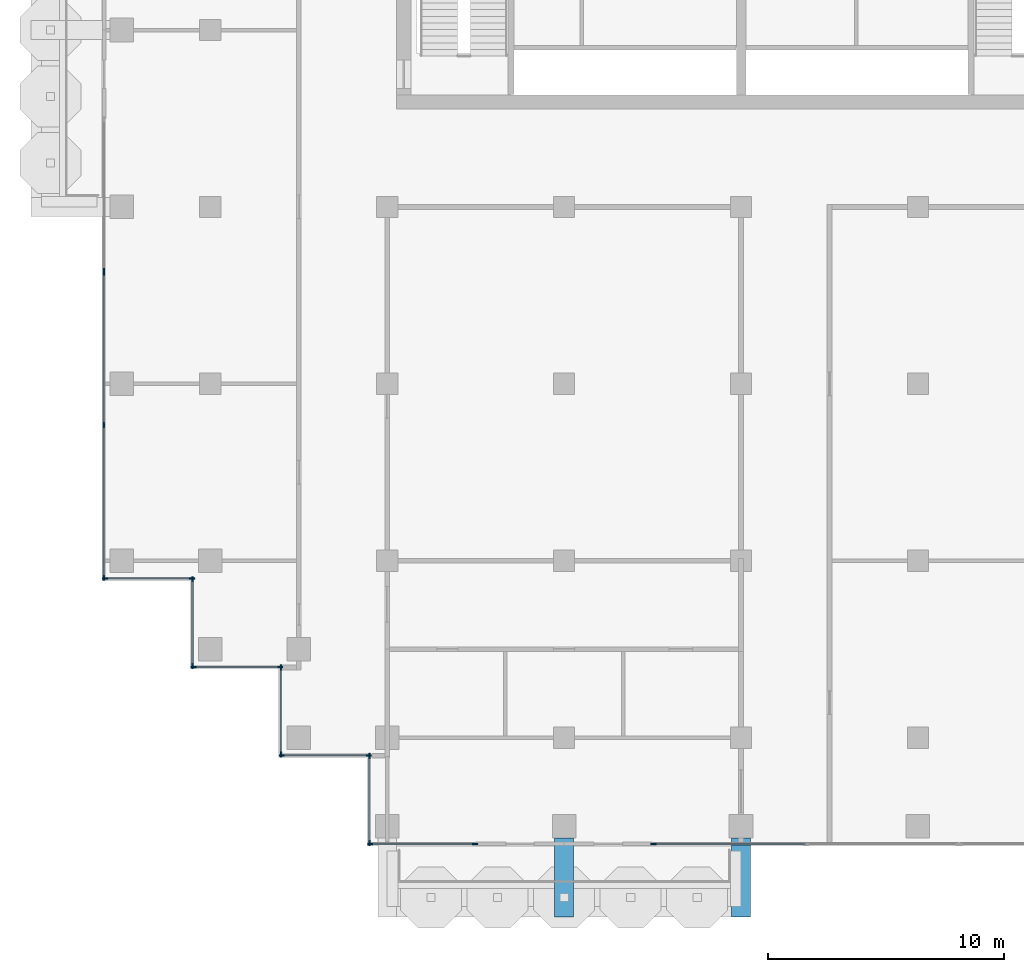
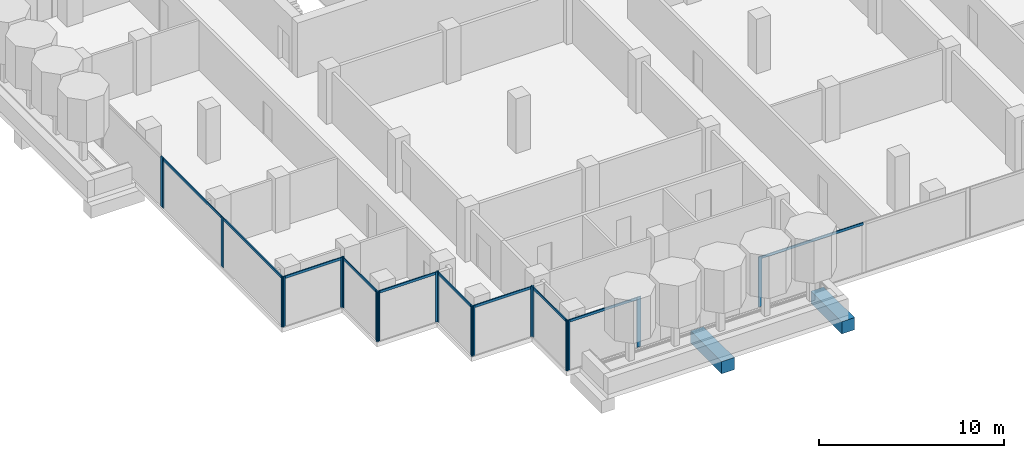
# One storey, part 2 of 17: 29 members, 2 beams, 10 elements without a shape of their own.
"""IFC4 building model written with IfcOpenShell, lengths in metres."""

from ifc_helpers import new_model, si_unit, direction, frame, origin, origin_2d, place, context, subcontext, project, spatial, rectangle, extrude, material, material_profile, profile_set, type_object, element, aggregate, save


model = new_model("IFC4")

# Units and contexts
model_context = context("Model", 3, precision=1e-05, world=origin(), true_north=direction((0.0, 1.0)))
body_context = subcontext(model_context, "Body", "Model", "MODEL_VIEW")
ifc_project = project(units=[si_unit("LENGTHUNIT", "METRE"), si_unit("AREAUNIT", "SQUARE_METRE"), si_unit("VOLUMEUNIT", "CUBIC_METRE"), si_unit("PLANEANGLEUNIT", "RADIAN"), si_unit("MASSUNIT", "GRAM", prefix="KILO")], contexts=[model_context])

# Site, building, storey
site_placement = place(None, origin())
site = spatial("IfcSite", under=ifc_project, at=site_placement, CompositionType="ELEMENT")
building_placement = place(site_placement, origin())
building = spatial("IfcBuilding", under=site, at=building_placement, Name="Pilkhan Gate Tower", CompositionType="ELEMENT")
storey_placement = place(building_placement, frame((0.0, 0.0, 206.699951171875)))
storey = spatial("IfcBuildingStorey", under=building, at=storey_placement, Name="L53", CompositionType="ELEMENT", Elevation=206.699951171875)

# Beams
ifc_material_1 = material(Name="Concrete C50/60", Category="concrete")
ifc_material_profile_1 = material_profile(ifc_material_1, rectangle(XDim=0.800048828125, YDim=0.800048828125, at=origin_2d()), Name="RC 800x800")
ifc_profile_set_1 = profile_set([ifc_material_profile_1], Name="Concrete C50/60")
beam_type = type_object("IfcBeamType", Name="Cantilever beam CB2 RC 800x800 C50/60", PredefinedType="BEAM", material=ifc_profile_set_1)
for number, where, z_axis, x_axis, name in (
    (1, (67.5, 40.75, -0.699951171875), (0.0, -1.0, 0.0), (1.0, 0.0, 0.0), "Balcony beam S.2 L53"),
    (2, (75.0, 40.75, -0.699951171875), (0.0, -1.0, 0.0), (1.0, 0.0, 0.0), "Balcony beam S.3 L53"),
):
    element("IfcBeam", number, at=place(storey_placement, frame(where, z_axis=z_axis, x_axis=x_axis)), inside=storey, type_object=beam_type, Name=name, PredefinedType="BEAM", context=body_context, shape_type="SweptSolid", body=[
        extrude(rectangle(XDim=0.800048828125, YDim=0.800048828125, at=origin_2d()), origin(), (0.0, 0.0, 1.0), 3.35009765625),
    ])

# Curtain wall, members
ifc_material_2 = material(Name="Pale anodised aluminium, clear low-iron double glazing", Category="aluminium")
curtain_wall_type = type_object("IfcCurtainWallType", Name="Office unitised curtain wall CW-O2", PredefinedType="USERDEFINED", material=ifc_material_2)
curtain_wall_1_placement = place(storey_placement, origin())
curtain_wall_1 = element("IfcCurtainWall", 3, at=curtain_wall_1_placement, inside=storey, type_object=curtain_wall_type, Name="Office unitised curtain wall CW-O2 L53 W", ObjectType="UNITISED CURTAIN WALL", PredefinedType="USERDEFINED")
ifc_material_3 = material(Name="Pale anodised aluminium", Category="aluminium")
ifc_material_profile_2 = material_profile(ifc_material_3, rectangle(XDim=0.06494140625, YDim=0.22509765625, at=origin_2d()), Name="Mullion 225x65")
ifc_profile_set_2 = profile_set([ifc_material_profile_2], Name="Pale anodised aluminium")
member_type_1 = type_object("IfcMemberType", Name="Mullion CW-O2 225x65", PredefinedType="MULLION", material=ifc_profile_set_2)
member_1_placement = place(storey_placement, frame((48.0, 51.782470703125, 0.0), z_axis=(0.0, 0.0, 1.0), x_axis=(-1.0, 0.0, 0.0)))
member_1 = element("IfcMember", 4, at=member_1_placement, type_object=member_type_1, Name="CW-O2 mullion 1", PredefinedType="MULLION", context=body_context, shape_type="SweptSolid", body=[
    extrude(rectangle(XDim=0.06494140625, YDim=0.22509765625, at=origin_2d()), origin(), (0.0, 0.0, 1.0), 3.300048828125),
])
member_2_placement = place(storey_placement, frame((48.0, 58.25, 0.0), z_axis=(0.0, 0.0, 1.0), x_axis=(-1.0, 0.0, 0.0)))
member_2 = element("IfcMember", 5, at=member_2_placement, type_object=member_type_1, Name="CW-O2 mullion 2", PredefinedType="MULLION", context=body_context, shape_type="SweptSolid", body=[
    extrude(rectangle(XDim=0.06494140625, YDim=0.22509765625, at=origin_2d()), origin(), (0.0, 0.0, 1.0), 3.300048828125),
])
member_3_placement = place(storey_placement, frame((48.0, 64.717529296875, 0.0), z_axis=(0.0, 0.0, 1.0), x_axis=(-1.0, 0.0, 0.0)))
member_3 = element("IfcMember", 6, at=member_3_placement, type_object=member_type_1, Name="CW-O2 mullion 3", PredefinedType="MULLION", context=body_context, shape_type="SweptSolid", body=[
    extrude(rectangle(XDim=0.06494140625, YDim=0.22509765625, at=origin_2d()), origin(), (0.0, 0.0, 1.0), 3.300048828125),
])

# Curtain wall, member
curtain_wall_2_placement = place(storey_placement, origin())
curtain_wall_2 = element("IfcCurtainWall", 7, at=curtain_wall_2_placement, inside=storey, type_object=curtain_wall_type, Name="Office unitised curtain wall CW-O2 L53 W", ObjectType="UNITISED CURTAIN WALL", PredefinedType="USERDEFINED")
member_4_placement = place(storey_placement, frame((48.0, 64.782470703125, 0.0), z_axis=(0.0, 0.0, 1.0), x_axis=(-1.0, 0.0, 0.0)))
member_4 = element("IfcMember", 8, at=member_4_placement, type_object=member_type_1, Name="CW-O2 mullion 1", PredefinedType="MULLION", context=body_context, shape_type="SweptSolid", body=[
    extrude(rectangle(XDim=0.06494140625, YDim=0.22509765625, at=origin_2d()), origin(), (0.0, 0.0, 1.0), 3.300048828125),
])
aggregate(curtain_wall_2, [member_4])

# Curtain wall, members
curtain_wall_3_placement = place(storey_placement, origin())
curtain_wall_3 = element("IfcCurtainWall", 9, at=curtain_wall_3_placement, inside=storey, type_object=curtain_wall_type, Name="Office unitised curtain wall CW-O2 L53 S", ObjectType="UNITISED CURTAIN WALL", PredefinedType="USERDEFINED")
member_5_placement = place(storey_placement, frame((48.032470703125, 51.75, 0.0), z_axis=(0.0, 0.0, 1.0), x_axis=(0.0, 1.0, 0.0)))
member_5 = element("IfcMember", 10, at=member_5_placement, type_object=member_type_1, Name="CW-O2 mullion 1", PredefinedType="MULLION", context=body_context, shape_type="SweptSolid", body=[
    extrude(rectangle(XDim=0.06494140625, YDim=0.22509765625, at=origin_2d()), origin(), (0.0, 0.0, 1.0), 3.300048828125),
])
member_6_placement = place(storey_placement, frame((51.717529296875, 51.75, 0.0), z_axis=(0.0, 0.0, 1.0), x_axis=(0.0, 1.0, 0.0)))
member_6 = element("IfcMember", 11, at=member_6_placement, type_object=member_type_1, Name="CW-O2 mullion 2", PredefinedType="MULLION", context=body_context, shape_type="SweptSolid", body=[
    extrude(rectangle(XDim=0.06494140625, YDim=0.22509765625, at=origin_2d()), origin(), (0.0, 0.0, 1.0), 3.300048828125),
])

curtain_wall_4_placement = place(storey_placement, origin())
curtain_wall_4 = element("IfcCurtainWall", 12, at=curtain_wall_4_placement, inside=storey, type_object=curtain_wall_type, Name="Office unitised curtain wall CW-O2 L53 W", ObjectType="UNITISED CURTAIN WALL", PredefinedType="USERDEFINED")
member_7_placement = place(storey_placement, frame((51.75, 48.032470703125, 0.0), z_axis=(0.0, 0.0, 1.0), x_axis=(-1.0, 0.0, 0.0)))
member_7 = element("IfcMember", 13, at=member_7_placement, type_object=member_type_1, Name="CW-O2 mullion 1", PredefinedType="MULLION", context=body_context, shape_type="SweptSolid", body=[
    extrude(rectangle(XDim=0.06494140625, YDim=0.22509765625, at=origin_2d()), origin(), (0.0, 0.0, 1.0), 3.300048828125),
])
member_8_placement = place(storey_placement, frame((51.75, 51.717529296875, 0.0), z_axis=(0.0, 0.0, 1.0), x_axis=(-1.0, 0.0, 0.0)))
member_8 = element("IfcMember", 14, at=member_8_placement, type_object=member_type_1, Name="CW-O2 mullion 2", PredefinedType="MULLION", context=body_context, shape_type="SweptSolid", body=[
    extrude(rectangle(XDim=0.06494140625, YDim=0.22509765625, at=origin_2d()), origin(), (0.0, 0.0, 1.0), 3.300048828125),
])

curtain_wall_5_placement = place(storey_placement, origin())
curtain_wall_5 = element("IfcCurtainWall", 15, at=curtain_wall_5_placement, inside=storey, type_object=curtain_wall_type, Name="Office unitised curtain wall CW-O2 L53 S", ObjectType="UNITISED CURTAIN WALL", PredefinedType="USERDEFINED")
member_9_placement = place(storey_placement, frame((51.782470703125, 48.0, 0.0), z_axis=(0.0, 0.0, 1.0), x_axis=(0.0, 1.0, 0.0)))
member_9 = element("IfcMember", 16, at=member_9_placement, type_object=member_type_1, Name="CW-O2 mullion 1", PredefinedType="MULLION", context=body_context, shape_type="SweptSolid", body=[
    extrude(rectangle(XDim=0.06494140625, YDim=0.22509765625, at=origin_2d()), origin(), (0.0, 0.0, 1.0), 3.300048828125),
])
member_10_placement = place(storey_placement, frame((55.467529296875, 48.0, 0.0), z_axis=(0.0, 0.0, 1.0), x_axis=(0.0, 1.0, 0.0)))
member_10 = element("IfcMember", 17, at=member_10_placement, type_object=member_type_1, Name="CW-O2 mullion 2", PredefinedType="MULLION", context=body_context, shape_type="SweptSolid", body=[
    extrude(rectangle(XDim=0.06494140625, YDim=0.22509765625, at=origin_2d()), origin(), (0.0, 0.0, 1.0), 3.300048828125),
])

curtain_wall_6_placement = place(storey_placement, origin())
curtain_wall_6 = element("IfcCurtainWall", 18, at=curtain_wall_6_placement, inside=storey, type_object=curtain_wall_type, Name="Office unitised curtain wall CW-O2 L53 W", ObjectType="UNITISED CURTAIN WALL", PredefinedType="USERDEFINED")
member_11_placement = place(storey_placement, frame((55.5, 44.282470703125, 0.0), z_axis=(0.0, 0.0, 1.0), x_axis=(-1.0, 0.0, 0.0)))
member_11 = element("IfcMember", 19, at=member_11_placement, type_object=member_type_1, Name="CW-O2 mullion 1", PredefinedType="MULLION", context=body_context, shape_type="SweptSolid", body=[
    extrude(rectangle(XDim=0.06494140625, YDim=0.22509765625, at=origin_2d()), origin(), (0.0, 0.0, 1.0), 3.300048828125),
])
member_12_placement = place(storey_placement, frame((55.5, 47.967529296875, 0.0), z_axis=(0.0, 0.0, 1.0), x_axis=(-1.0, 0.0, 0.0)))
member_12 = element("IfcMember", 20, at=member_12_placement, type_object=member_type_1, Name="CW-O2 mullion 2", PredefinedType="MULLION", context=body_context, shape_type="SweptSolid", body=[
    extrude(rectangle(XDim=0.06494140625, YDim=0.22509765625, at=origin_2d()), origin(), (0.0, 0.0, 1.0), 3.300048828125),
])

curtain_wall_7_placement = place(storey_placement, origin())
curtain_wall_7 = element("IfcCurtainWall", 21, at=curtain_wall_7_placement, inside=storey, type_object=curtain_wall_type, Name="Office unitised curtain wall CW-O2 L53 S", ObjectType="UNITISED CURTAIN WALL", PredefinedType="USERDEFINED")
member_13_placement = place(storey_placement, frame((55.532470703125, 44.25, 0.0), z_axis=(0.0, 0.0, 1.0), x_axis=(0.0, 1.0, 0.0)))
member_13 = element("IfcMember", 22, at=member_13_placement, type_object=member_type_1, Name="CW-O2 mullion 1", PredefinedType="MULLION", context=body_context, shape_type="SweptSolid", body=[
    extrude(rectangle(XDim=0.06494140625, YDim=0.22509765625, at=origin_2d()), origin(), (0.0, 0.0, 1.0), 3.300048828125),
])
member_14_placement = place(storey_placement, frame((59.217529296875, 44.25, 0.0), z_axis=(0.0, 0.0, 1.0), x_axis=(0.0, 1.0, 0.0)))
member_14 = element("IfcMember", 23, at=member_14_placement, type_object=member_type_1, Name="CW-O2 mullion 2", PredefinedType="MULLION", context=body_context, shape_type="SweptSolid", body=[
    extrude(rectangle(XDim=0.06494140625, YDim=0.22509765625, at=origin_2d()), origin(), (0.0, 0.0, 1.0), 3.300048828125),
])

curtain_wall_8_placement = place(storey_placement, origin())
curtain_wall_8 = element("IfcCurtainWall", 24, at=curtain_wall_8_placement, inside=storey, type_object=curtain_wall_type, Name="Office unitised curtain wall CW-O2 L53 W", ObjectType="UNITISED CURTAIN WALL", PredefinedType="USERDEFINED")
member_15_placement = place(storey_placement, frame((59.25, 40.532470703125, 0.0), z_axis=(0.0, 0.0, 1.0), x_axis=(-1.0, 0.0, 0.0)))
member_15 = element("IfcMember", 25, at=member_15_placement, type_object=member_type_1, Name="CW-O2 mullion 1", PredefinedType="MULLION", context=body_context, shape_type="SweptSolid", body=[
    extrude(rectangle(XDim=0.06494140625, YDim=0.22509765625, at=origin_2d()), origin(), (0.0, 0.0, 1.0), 3.300048828125),
])
member_16_placement = place(storey_placement, frame((59.25, 44.217529296875, 0.0), z_axis=(0.0, 0.0, 1.0), x_axis=(-1.0, 0.0, 0.0)))
member_16 = element("IfcMember", 26, at=member_16_placement, type_object=member_type_1, Name="CW-O2 mullion 2", PredefinedType="MULLION", context=body_context, shape_type="SweptSolid", body=[
    extrude(rectangle(XDim=0.06494140625, YDim=0.22509765625, at=origin_2d()), origin(), (0.0, 0.0, 1.0), 3.300048828125),
])

curtain_wall_9_placement = place(storey_placement, origin())
curtain_wall_9 = element("IfcCurtainWall", 27, at=curtain_wall_9_placement, inside=storey, type_object=curtain_wall_type, Name="Office unitised curtain wall CW-O2 L53 S", ObjectType="UNITISED CURTAIN WALL", PredefinedType="USERDEFINED")
member_17_placement = place(storey_placement, frame((59.282470703125, 40.5, 0.0), z_axis=(0.0, 0.0, 1.0), x_axis=(0.0, 1.0, 0.0)))
member_17 = element("IfcMember", 28, at=member_17_placement, type_object=member_type_1, Name="CW-O2 mullion 1", PredefinedType="MULLION", context=body_context, shape_type="SweptSolid", body=[
    extrude(rectangle(XDim=0.06494140625, YDim=0.22509765625, at=origin_2d()), origin(), (0.0, 0.0, 1.0), 3.300048828125),
])
member_18_placement = place(storey_placement, frame((63.717529296875, 40.5, 0.0), z_axis=(0.0, 0.0, 1.0), x_axis=(0.0, 1.0, 0.0)))
member_18 = element("IfcMember", 29, at=member_18_placement, type_object=member_type_1, Name="CW-O2 mullion 2", PredefinedType="MULLION", context=body_context, shape_type="SweptSolid", body=[
    extrude(rectangle(XDim=0.06494140625, YDim=0.22509765625, at=origin_2d()), origin(), (0.0, 0.0, 1.0), 3.300048828125),
])

# Curtain wall, member
curtain_wall_10_placement = place(storey_placement, origin())
curtain_wall_10 = element("IfcCurtainWall", 30, at=curtain_wall_10_placement, inside=storey, type_object=curtain_wall_type, Name="Office unitised curtain wall CW-O2 L53 S", ObjectType="UNITISED CURTAIN WALL", PredefinedType="USERDEFINED")
member_19_placement = place(storey_placement, frame((71.282470703125, 40.5, 0.0), z_axis=(0.0, 0.0, 1.0), x_axis=(0.0, 1.0, 0.0)))
member_19 = element("IfcMember", 31, at=member_19_placement, type_object=member_type_1, Name="CW-O2 mullion 1", PredefinedType="MULLION", context=body_context, shape_type="SweptSolid", body=[
    extrude(rectangle(XDim=0.06494140625, YDim=0.22509765625, at=origin_2d()), origin(), (0.0, 0.0, 1.0), 3.300048828125),
])

# Member
ifc_material_profile_3 = material_profile(ifc_material_3, rectangle(XDim=0.06494140625, YDim=0.1650390625, at=origin_2d()), Name="Transom 165x65")
ifc_profile_set_3 = profile_set([ifc_material_profile_3], Name="Pale anodised aluminium")
member_type_2 = type_object("IfcMemberType", Name="Transom CW-O2 165x65", PredefinedType="USERDEFINED", material=ifc_profile_set_3)
member_20_placement = place(storey_placement, frame((48.0, 51.81494140625, 3.217529296875), z_axis=(0.0, 1.0, 0.0), x_axis=(-1.0, 0.0, 0.0)))
member_20 = element("IfcMember", 32, at=member_20_placement, type_object=member_type_2, Name="CW-O2 transom 1", ObjectType="TRANSOM", PredefinedType="USERDEFINED", context=body_context, shape_type="SweptSolid", body=[
    extrude(rectangle(XDim=0.06494140625, YDim=0.1650390625, at=origin_2d()), origin(), (0.0, 0.0, 1.0), 6.402587890625),
])

member_21_placement = place(storey_placement, frame((48.0, 58.282470703125, 3.217529296875), z_axis=(0.0, 1.0, 0.0), x_axis=(-1.0, 0.0, 0.0)))
member_21 = element("IfcMember", 33, at=member_21_placement, type_object=member_type_2, Name="CW-O2 transom 2", ObjectType="TRANSOM", PredefinedType="USERDEFINED", context=body_context, shape_type="SweptSolid", body=[
    extrude(rectangle(XDim=0.06494140625, YDim=0.1650390625, at=origin_2d()), origin(), (0.0, 0.0, 1.0), 6.402587890625),
])

aggregate(curtain_wall_1, [member_1, member_2, member_3, member_20, member_21])

member_22_placement = place(storey_placement, frame((48.06494140625, 51.75, 3.217529296875), z_axis=(1.0, 0.0, 0.0), x_axis=(0.0, 1.0, 0.0)))
member_22 = element("IfcMember", 34, at=member_22_placement, type_object=member_type_2, Name="CW-O2 transom 1", ObjectType="TRANSOM", PredefinedType="USERDEFINED", context=body_context, shape_type="SweptSolid", body=[
    extrude(rectangle(XDim=0.06494140625, YDim=0.1650390625, at=origin_2d()), origin(), (0.0, 0.0, 1.0), 3.6201171875),
])

aggregate(curtain_wall_3, [member_5, member_6, member_22])

member_23_placement = place(storey_placement, frame((51.75, 48.06494140625, 3.217529296875), z_axis=(0.0, 1.0, 0.0), x_axis=(-1.0, 0.0, 0.0)))
member_23 = element("IfcMember", 35, at=member_23_placement, type_object=member_type_2, Name="CW-O2 transom 1", ObjectType="TRANSOM", PredefinedType="USERDEFINED", context=body_context, shape_type="SweptSolid", body=[
    extrude(rectangle(XDim=0.06494140625, YDim=0.1650390625, at=origin_2d()), origin(), (0.0, 0.0, 1.0), 3.6201171875),
])

aggregate(curtain_wall_4, [member_7, member_8, member_23])

member_24_placement = place(storey_placement, frame((51.81494140625, 48.0, 3.217529296875), z_axis=(1.0, 0.0, 0.0), x_axis=(0.0, 1.0, 0.0)))
member_24 = element("IfcMember", 36, at=member_24_placement, type_object=member_type_2, Name="CW-O2 transom 1", ObjectType="TRANSOM", PredefinedType="USERDEFINED", context=body_context, shape_type="SweptSolid", body=[
    extrude(rectangle(XDim=0.06494140625, YDim=0.1650390625, at=origin_2d()), origin(), (0.0, 0.0, 1.0), 3.6201171875),
])

aggregate(curtain_wall_5, [member_9, member_10, member_24])

member_25_placement = place(storey_placement, frame((55.5, 44.31494140625, 3.217529296875), z_axis=(0.0, 1.0, 0.0), x_axis=(-1.0, 0.0, 0.0)))
member_25 = element("IfcMember", 37, at=member_25_placement, type_object=member_type_2, Name="CW-O2 transom 1", ObjectType="TRANSOM", PredefinedType="USERDEFINED", context=body_context, shape_type="SweptSolid", body=[
    extrude(rectangle(XDim=0.06494140625, YDim=0.1650390625, at=origin_2d()), origin(), (0.0, 0.0, 1.0), 3.6201171875),
])

aggregate(curtain_wall_6, [member_11, member_12, member_25])

member_26_placement = place(storey_placement, frame((55.56494140625, 44.25, 3.217529296875), z_axis=(1.0, 0.0, 0.0), x_axis=(0.0, 1.0, 0.0)))
member_26 = element("IfcMember", 38, at=member_26_placement, type_object=member_type_2, Name="CW-O2 transom 1", ObjectType="TRANSOM", PredefinedType="USERDEFINED", context=body_context, shape_type="SweptSolid", body=[
    extrude(rectangle(XDim=0.06494140625, YDim=0.1650390625, at=origin_2d()), origin(), (0.0, 0.0, 1.0), 3.6201171875),
])

aggregate(curtain_wall_7, [member_13, member_14, member_26])

member_27_placement = place(storey_placement, frame((59.25, 40.56494140625, 3.217529296875), z_axis=(0.0, 1.0, 0.0), x_axis=(-1.0, 0.0, 0.0)))
member_27 = element("IfcMember", 39, at=member_27_placement, type_object=member_type_2, Name="CW-O2 transom 1", ObjectType="TRANSOM", PredefinedType="USERDEFINED", context=body_context, shape_type="SweptSolid", body=[
    extrude(rectangle(XDim=0.06494140625, YDim=0.1650390625, at=origin_2d()), origin(), (0.0, 0.0, 1.0), 3.6201171875),
])

aggregate(curtain_wall_8, [member_15, member_16, member_27])

member_28_placement = place(storey_placement, frame((59.31494140625, 40.5, 3.217529296875), z_axis=(1.0, 0.0, 0.0), x_axis=(0.0, 1.0, 0.0)))
member_28 = element("IfcMember", 40, at=member_28_placement, type_object=member_type_2, Name="CW-O2 transom 1", ObjectType="TRANSOM", PredefinedType="USERDEFINED", context=body_context, shape_type="SweptSolid", body=[
    extrude(rectangle(XDim=0.06494140625, YDim=0.1650390625, at=origin_2d()), origin(), (0.0, 0.0, 1.0), 4.3701171875),
])

aggregate(curtain_wall_9, [member_17, member_18, member_28])

member_29_placement = place(storey_placement, frame((71.31494140625, 40.5, 3.217529296875), z_axis=(1.0, 0.0, 0.0), x_axis=(0.0, 1.0, 0.0)))
member_29 = element("IfcMember", 41, at=member_29_placement, type_object=member_type_2, Name="CW-O2 transom 1", ObjectType="TRANSOM", PredefinedType="USERDEFINED", context=body_context, shape_type="SweptSolid", body=[
    extrude(rectangle(XDim=0.06494140625, YDim=0.1650390625, at=origin_2d()), origin(), (0.0, 0.0, 1.0), 6.402587890625),
])

aggregate(curtain_wall_10, [member_19, member_29])

save(model, "model.ifc")
